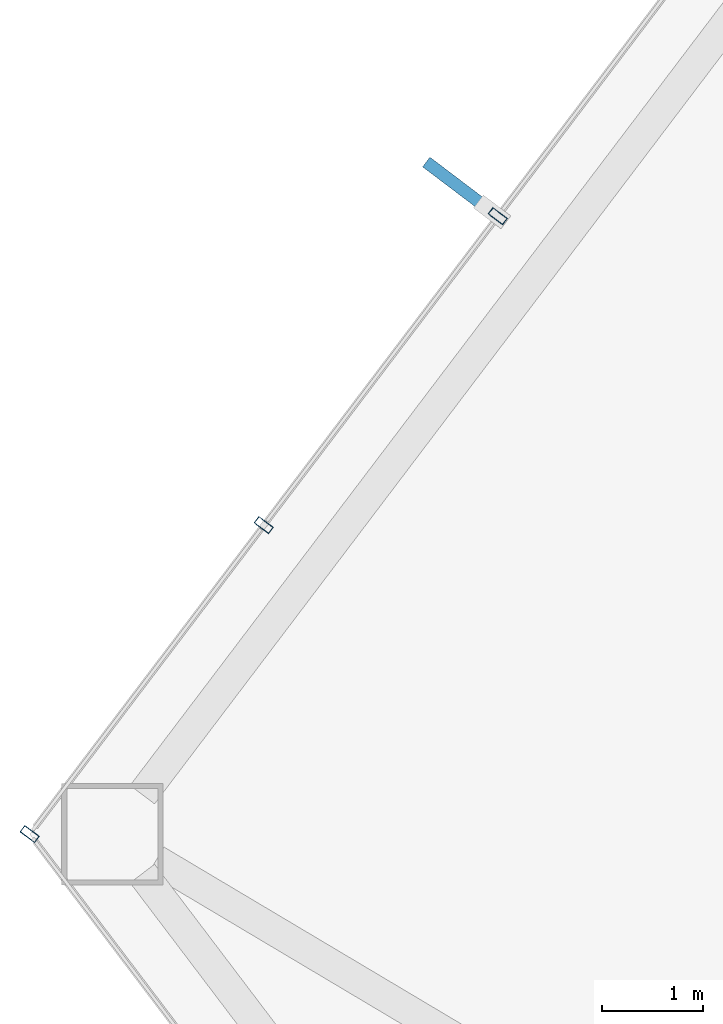
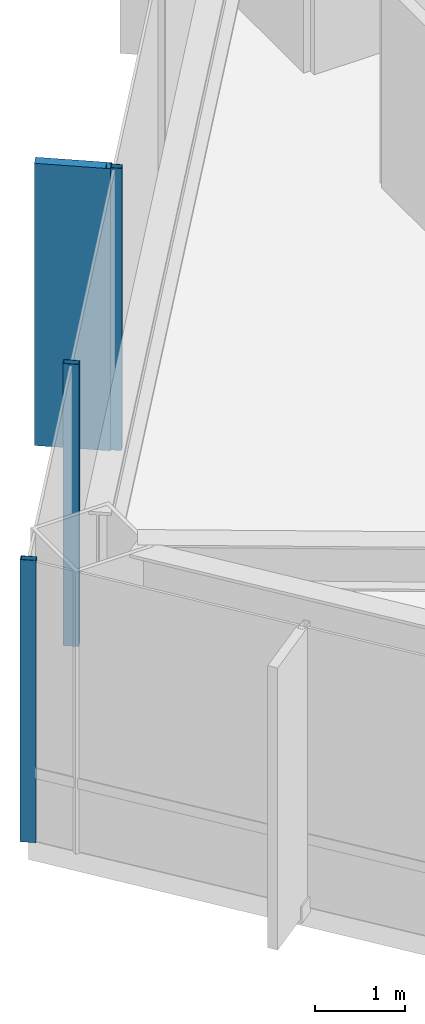
# One storey, part 10 of 25: 4 members, 1 element without a shape of its own.
"""IFC4 building model written with IfcOpenShell, lengths in metres."""

import ifcopenshell
import ifcopenshell.guid

model = None  # the IFC model being written
_history = None  # IfcOwnerHistory: only IFC2X3 demands one
_inside = {}  # id of a spatial element -> (the spatial element, [elements in it])
_under = {}  # id of a project, library or spatial element -> (it, [spatial elements below it])
_declared = {}  # id of a project -> (the project, [libraries it declares])
_typed = {}  # id of a type object -> (the type object, [elements of that type])
_made_of = {}  # id of a material, layer set ... -> (it, [elements and type objects made of it])


def new_model(schema):
    """Start an empty IFC model of exactly this schema.

    Asked for "IFC4X3", IfcOpenShell would pick the latest addendum, in which some entities
    have other attributes; the version numbers below select the first issue.
    IFC2X3 requires an IfcOwnerHistory on every rooted entity: one is made here for all.
    """
    global model, _history
    if schema == "IFC4X3":
        model = ifcopenshell.file(schema_version=(4, 3, 0, 0))
    else:
        model = ifcopenshell.file(schema=schema)
    _inside.clear()
    _under.clear()
    _declared.clear()
    _typed.clear()
    _made_of.clear()
    _history = None
    if model.schema == "IFC2X3":
        org = make("IfcOrganization", Name="unknown")
        user = make(
            "IfcPersonAndOrganization",
            ThePerson=make("IfcPerson", FamilyName="unknown"),
            TheOrganization=org,
        )
        app = make(
            "IfcApplication",
            ApplicationDeveloper=org,
            Version="unknown",
            ApplicationFullName="unknown",
            ApplicationIdentifier="unknown",
        )
        _history = make(
            "IfcOwnerHistory",
            OwningUser=user,
            OwningApplication=app,
            ChangeAction="ADDED",
            CreationDate=0,
        )
    return model


def make(cls, **values):
    """One entity of the class cls with the attributes given. An attribute that is None is left unset."""
    return model.create_entity(
        cls, **{name: value for name, value in values.items() if value is not None}
    )


def rooted(cls, **values):
    """An entity with a GlobalId (a new one), such as an element, a storey or a relation."""
    return make(cls, GlobalId=ifcopenshell.guid.new(), OwnerHistory=_history, **values)


def si_unit(unit_type, name, prefix=None):
    """IfcSIUnit, for example si_unit("LENGTHUNIT", "METRE", prefix="MILLI")."""
    return make("IfcSIUnit", UnitType=unit_type, Prefix=prefix, Name=name)


def assignment(units):
    """IfcUnitAssignment: the units of a project."""
    return None if units is None else make("IfcUnitAssignment", Units=units)


def point(xyz):
    """IfcCartesianPoint."""
    return None if xyz is None else make("IfcCartesianPoint", Coordinates=xyz)


def direction(xyz):
    """IfcDirection."""
    return None if xyz is None else make("IfcDirection", DirectionRatios=xyz)


def frame(location, z_axis=None, x_axis=None):
    """IfcAxis2Placement3D, a coordinate frame: its origin and axes. An axis left out is left unset."""
    return make(
        "IfcAxis2Placement3D",
        Location=point(location),
        Axis=direction(z_axis),
        RefDirection=direction(x_axis),
    )


def frame_2d(location, x_axis=None):
    """IfcAxis2Placement2D, a coordinate frame in the plane: its origin and x axis."""
    return make(
        "IfcAxis2Placement2D", Location=point(location), RefDirection=direction(x_axis)
    )


def origin():
    """The frame at (0, 0, 0) with its axes left unset."""
    return frame((0.0, 0.0, 0.0))


def origin_2d():
    """The frame at (0, 0) in the plane with its x axis left unset."""
    return frame_2d((0.0, 0.0))


def place(relative_to, where):
    """IfcLocalPlacement: puts the frame where relative to a parent placement (None: the world)."""
    return make(
        "IfcLocalPlacement", PlacementRelTo=relative_to, RelativePlacement=where
    )


def context(
    kind, dimensions, precision=None, world=None, true_north=None, identifier=None
):
    """IfcGeometricRepresentationContext, for example the 3D "Model" context."""
    return make(
        "IfcGeometricRepresentationContext",
        ContextIdentifier=identifier,
        ContextType=kind,
        CoordinateSpaceDimension=dimensions,
        Precision=precision,
        WorldCoordinateSystem=world,
        TrueNorth=true_north,
    )


def subcontext(parent, identifier, kind, view, scale=None):
    """IfcGeometricRepresentationSubContext, for example "Body" below "Model"."""
    return make(
        "IfcGeometricRepresentationSubContext",
        ContextIdentifier=identifier,
        ContextType=kind,
        ParentContext=parent,
        TargetScale=scale,
        TargetView=view,
    )


def project(units=None, contexts=None):
    """IfcProject with its units and contexts."""
    return rooted(
        "IfcProject",
        Name="project",
        RepresentationContexts=contexts,
        UnitsInContext=assignment(units),
    )


def spatial(cls, under=None, at=None, **own):
    """A site, building, storey or space (cls), placed at a placement, below another one or the project."""
    s = rooted(cls, ObjectPlacement=at, **own)
    if under is not None:
        _under.setdefault(under.id(), (under, []))[1].append(s)
    return s


def profile(cls, at=None, kind="AREA", **sizes):
    """A parametric profile (cls). Its sizes go by their IFC names, for example OverallWidth=200.0."""
    return make(cls, ProfileType=kind, Position=at, **sizes)


def rectangle(**sizes):
    """IfcRectangleProfileDef."""
    return profile("IfcRectangleProfileDef", **sizes)


def hollow_rectangle(**sizes):
    """IfcRectangleHollowProfileDef."""
    return profile("IfcRectangleHollowProfileDef", **sizes)


def extrude(swept, where, along, depth):
    """IfcExtrudedAreaSolid: the profile swept, set in the frame where, extruded along a direction by depth."""
    return make(
        "IfcExtrudedAreaSolid",
        SweptArea=swept,
        Position=where,
        ExtrudedDirection=direction(along),
        Depth=depth,
    )


def shape(context_of_items, identifier, shape_type, items):
    """IfcShapeRepresentation: the items that make up one representation, for example the "Body"."""
    return make(
        "IfcShapeRepresentation",
        ContextOfItems=context_of_items,
        RepresentationIdentifier=identifier,
        RepresentationType=shape_type,
        Items=items,
    )


def material(Name=None, Category=None):
    """IfcMaterial."""
    return make("IfcMaterial", Name=Name, Category=Category)


def layer(
    of_material, thickness, ventilated=None, Name=None, Category=None, Priority=None
):
    """IfcMaterialLayer: one layer of a wall or slab, of a material (None: an air gap)."""
    return make(
        "IfcMaterialLayer",
        Material=of_material,
        LayerThickness=thickness,
        IsVentilated=ventilated,
        Name=Name,
        Category=Category,
        Priority=Priority,
    )


def layer_set(layers, Name=None):
    """IfcMaterialLayerSet."""
    return make("IfcMaterialLayerSet", MaterialLayers=layers, LayerSetName=Name)


def material_profile(
    of_material, cross_section, Name=None, Category=None, Priority=None
):
    """IfcMaterialProfile: a cross section and its material."""
    return make(
        "IfcMaterialProfile",
        Name=Name,
        Material=of_material,
        Profile=cross_section,
        Priority=Priority,
        Category=Category,
    )


def profile_set(profiles, Name=None, composite=None):
    """IfcMaterialProfileSet."""
    return make(
        "IfcMaterialProfileSet",
        Name=Name,
        MaterialProfiles=profiles,
        CompositeProfile=composite,
    )


def made_of(thing, what):
    """Note that an element or type object is made of a material, layer set ...; save() writes the relation."""
    if what is not None:
        _made_of.setdefault(what.id(), (what, []))[1].append(thing)
    return thing


def type_object(cls, material=None, **own):
    """A type object (cls), such as IfcWallType, which elements share."""
    return made_of(rooted(cls, **own), material)


def element(
    cls,
    number,
    at=None,
    inside=None,
    cuts=None,
    type_object=None,
    material=None,
    context=None,
    identifier="Body",
    shape_type=None,
    held_by="IfcProductDefinitionShape",
    body=None,
    shapes=None,
    **own,
):
    """One element of the class cls, such as IfcWall. Its Tag is "e" and its number.

    at: its placement. inside: the storey or other place that contains it. cuts: it is an
    opening in that element (IfcRelVoidsElement). A single representation is given by context,
    identifier, shape_type and body (its items); several are given by shapes. held_by: the class
    of the entity that holds the representations. save() writes the other relations.
    """
    e = rooted(cls, Tag="e%d" % number, ObjectPlacement=at, **own)
    if body is not None:
        shapes = [shape(context, identifier, shape_type, body)]
    if shapes is not None:
        e.Representation = make(held_by, Representations=shapes)
    if inside is not None:
        _inside.setdefault(inside.id(), (inside, []))[1].append(e)
    if cuts is not None:
        rooted(
            "IfcRelVoidsElement", RelatingBuildingElement=cuts, RelatedOpeningElement=e
        )
    if type_object is not None:
        _typed.setdefault(type_object.id(), (type_object, []))[1].append(e)
    return made_of(e, material)


def aggregate(whole, parts):
    """IfcRelAggregates: a whole, such as a stair, and the parts it consists of."""
    return rooted("IfcRelAggregates", RelatingObject=whole, RelatedObjects=parts)


def save(model, path):
    """Write the relations noted so far, then the file.

    IfcRelAggregates (storeys below a building ...), IfcRelContainedInSpatialStructure (elements
    in a storey), IfcRelDefinesByType, IfcRelAssociatesMaterial and IfcRelDeclares: one each for
    every whole, place, type object, material and project.
    """
    for whole, parts in _under.values():
        aggregate(whole, parts)
    for where, things in _inside.values():
        rooted(
            "IfcRelContainedInSpatialStructure",
            RelatedElements=things,
            RelatingStructure=where,
        )
    for kind, things in _typed.values():
        rooted("IfcRelDefinesByType", RelatedObjects=things, RelatingType=kind)
    for what, things in _made_of.values():
        rooted("IfcRelAssociatesMaterial", RelatedObjects=things, RelatingMaterial=what)
    for by, libraries in _declared.values():
        rooted("IfcRelDeclares", RelatingContext=by, RelatedDefinitions=libraries)
    model.write(path)


model = new_model("IFC4")

# Units and contexts
model_context = context("Model", 3, precision=1e-05, world=origin(), true_north=direction((0.0, 1.0)))
body_context = subcontext(model_context, "Body", "Model", "MODEL_VIEW")
ifc_project = project(units=[si_unit("LENGTHUNIT", "METRE"), si_unit("AREAUNIT", "SQUARE_METRE"), si_unit("VOLUMEUNIT", "CUBIC_METRE"), si_unit("PLANEANGLEUNIT", "RADIAN"), si_unit("MASSUNIT", "GRAM", prefix="KILO")], contexts=[model_context])

# Site, building, storey
site_placement = place(None, origin())
site = spatial("IfcSite", under=ifc_project, at=site_placement, CompositionType="ELEMENT")
building_placement = place(site_placement, origin())
building = spatial("IfcBuilding", under=site, at=building_placement, Name="Zarrinselat Tower", CompositionType="ELEMENT")
storey_placement = place(building_placement, frame((0.0, 0.0, 56.10009765625)))
storey = spatial("IfcBuildingStorey", under=building, at=storey_placement, Name="L13", CompositionType="ELEMENT", Elevation=56.10009765625)

# Curtain wall, members
ifc_material_1 = material(Name="Extruded Aluminium Alloy EN AW-6063 T6", Category="aluminium")
ifc_layer = layer(ifc_material_1, 0.18505859375)
ifc_layer_set = layer_set([ifc_layer], Name="Extruded Aluminium Alloy EN AW-6063 T6")
curtain_wall_type = type_object("IfcCurtainWallType", Name="CWS-OFF", PredefinedType="NOTDEFINED", material=ifc_layer_set)
curtain_wall_placement = place(storey_placement, origin())
curtain_wall = element("IfcCurtainWall", 1, at=curtain_wall_placement, inside=storey, type_object=curtain_wall_type, Name="L13 Unitised Curtain Wall CW-L13-E02", PredefinedType="NOTDEFINED")
ifc_material_2 = material(Name="Extruded Aluminium Alloy EN AW-6063 T6", Category="aluminium")
ifc_material_profile_1 = material_profile(ifc_material_2, hollow_rectangle(XDim=0.080078125, YDim=0.179931640625, WallThickness=0.0048828125, at=origin_2d()), Name="RHS 180x80x5")
ifc_profile_set_1 = profile_set([ifc_material_profile_1], Name="Extruded Aluminium Alloy EN AW-6063 T6")
member_type_1 = type_object("IfcMemberType", Name="MEM-CW-MUL", PredefinedType="MULLION", material=ifc_profile_set_1)
member_1_placement = place(storey_placement, frame((20.290771484375, 40.79248046875, 0.0), z_axis=(0.0, 0.0, 1.0), x_axis=(-0.603859502298, -0.797090773679, 0.0)))
member_1 = element("IfcMember", 2, at=member_1_placement, type_object=member_type_1, Name="CW-L13-E02 Mullion 5", PredefinedType="MULLION", context=body_context, shape_type="SweptSolid", body=[
    extrude(hollow_rectangle(XDim=0.080078125, YDim=0.179931640625, WallThickness=0.0048828125, at=origin_2d()), origin(), (0.0, 0.0, 1.0), 3.81982421875),
])
member_2_placement = place(storey_placement, frame((17.98388671875, 37.747314453125, 0.0), z_axis=(0.0, 0.0, 1.0), x_axis=(-0.603859502298, -0.797090773679, 0.0)))
member_2 = element("IfcMember", 3, at=member_2_placement, type_object=member_type_1, Name="CW-L13-E02 Mullion 6", PredefinedType="MULLION", context=body_context, shape_type="SweptSolid", body=[
    extrude(hollow_rectangle(XDim=0.080078125, YDim=0.179931640625, WallThickness=0.0048828125, at=origin_2d()), origin(), (0.0, 0.0, 1.0), 3.81982421875),
])
member_3_placement = place(storey_placement, frame((15.677001953125, 34.7021484375, 0.0), z_axis=(0.0, 0.0, 1.0), x_axis=(-0.603859502298, -0.797090773679, 0.0)))
member_3 = element("IfcMember", 4, at=member_3_placement, type_object=member_type_1, Name="CW-L13-E02 Mullion 7", PredefinedType="MULLION", context=body_context, shape_type="SweptSolid", body=[
    extrude(hollow_rectangle(XDim=0.080078125, YDim=0.179931640625, WallThickness=0.0048828125, at=origin_2d()), origin(), (0.0, 0.0, 1.0), 3.81982421875),
])
ifc_material_3 = material(Name="Honed Cream Travertine Stone", Category="masonry")
ifc_material_profile_2 = material_profile(ifc_material_3, rectangle(XDim=0.1201171875, YDim=0.85009765625, at=origin_2d()), Name="FIN 850x120")
ifc_profile_set_2 = profile_set([ifc_material_profile_2], Name="Honed Cream Travertine Stone")
member_type_2 = type_object("IfcMemberType", Name="MEM-STONE-FIN", PredefinedType="USERDEFINED", material=ifc_profile_set_2)
member_4_placement = place(storey_placement, frame((19.924072265625, 41.0703125, 0.0), z_axis=(0.0, 0.0, 1.0), x_axis=(0.603859502298, 0.797090773679, 0.0)))
member_4 = element("IfcMember", 5, at=member_4_placement, type_object=member_type_2, Name="L13 Stone Shading Fin CW-L13-E02-05", ObjectType="FIN", PredefinedType="USERDEFINED", context=body_context, shape_type="SweptSolid", body=[
    extrude(rectangle(XDim=0.1201171875, YDim=0.85009765625, at=origin_2d()), origin(), (0.0, 0.0, 1.0), 3.81982421875),
])
aggregate(curtain_wall, [member_1, member_4, member_2, member_3])

save(model, "model.ifc")
